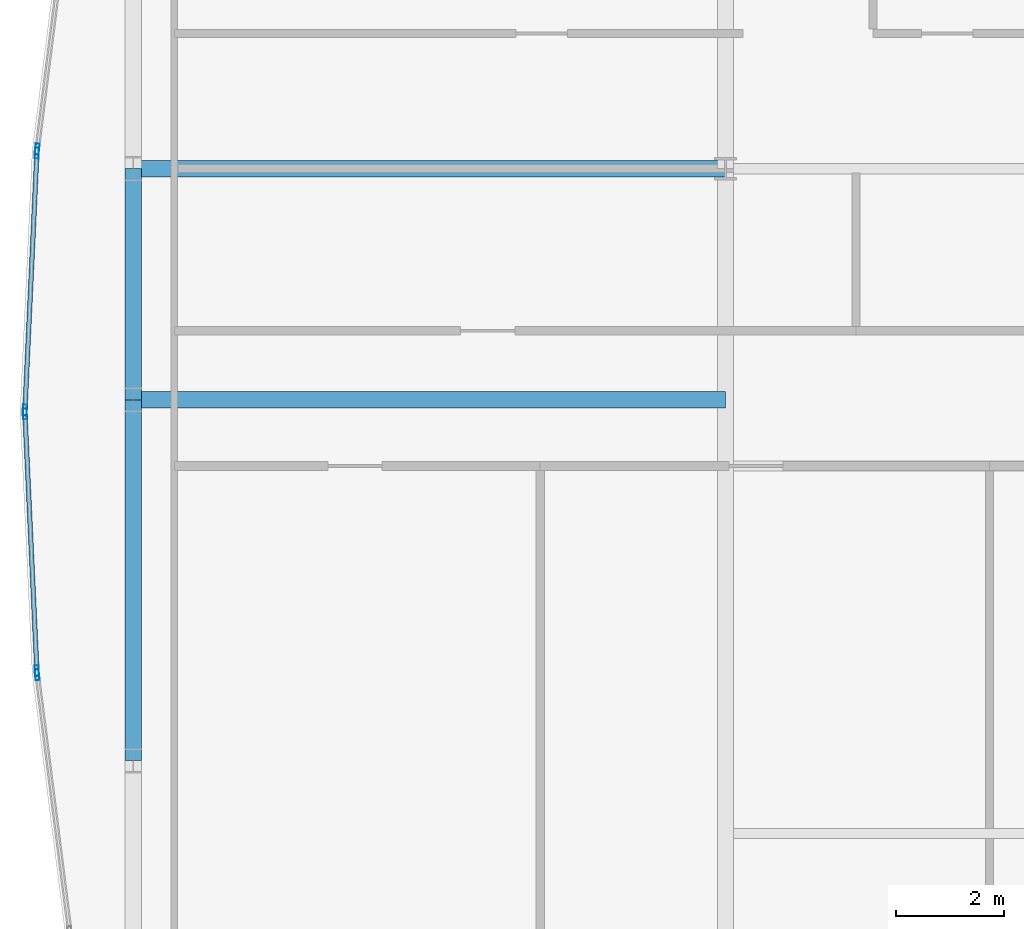
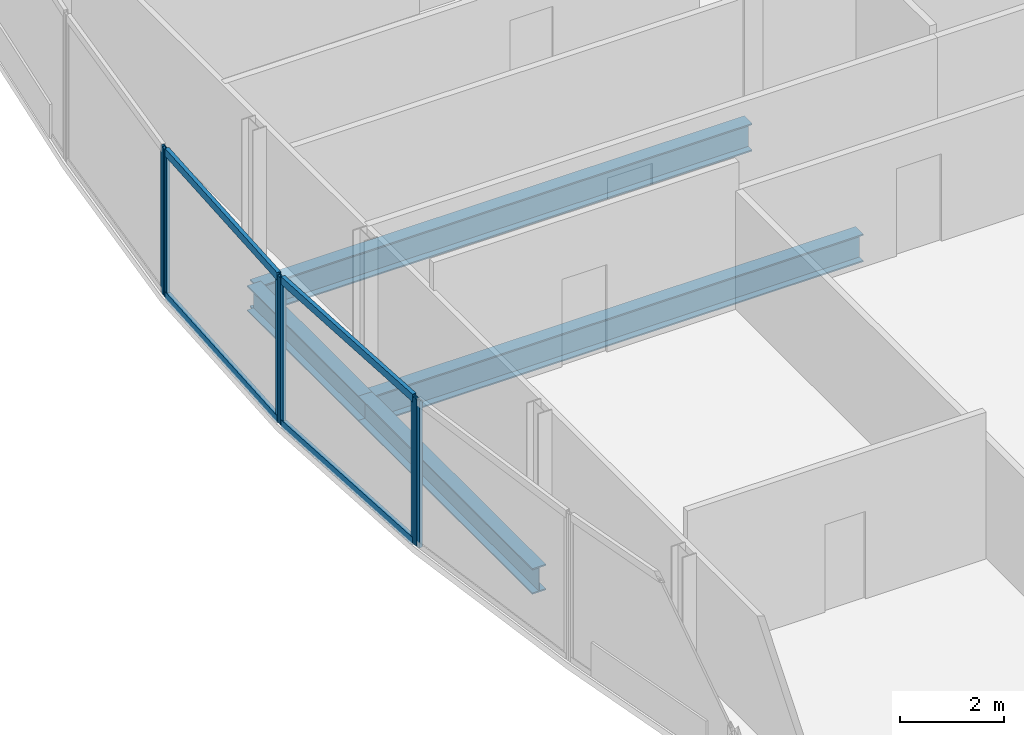
# One storey, part 10 of 30: 10 members, 4 beams, 4 elements without a shape of their own.
"""IFC4 building model written with IfcOpenShell, lengths in metres."""

from ifc_helpers import new_model, si_unit, direction, frame, origin, origin_2d, place, context, subcontext, project, spatial, hollow_rectangle, i_section, extrude, material, material_profile, profile_set, type_object, element, aggregate, save


model = new_model("IFC4")

# Units and contexts
model_context = context("Model", 3, precision=1e-05, world=origin(), true_north=direction((0.0, 1.0)))
body_context = subcontext(model_context, "Body", "Model", "MODEL_VIEW")
ifc_project = project(units=[si_unit("LENGTHUNIT", "METRE"), si_unit("AREAUNIT", "SQUARE_METRE"), si_unit("VOLUMEUNIT", "CUBIC_METRE"), si_unit("PLANEANGLEUNIT", "RADIAN"), si_unit("MASSUNIT", "GRAM", prefix="KILO")], contexts=[model_context])

# Site, building, storey
site_placement = place(None, origin())
site = spatial("IfcSite", under=ifc_project, at=site_placement, CompositionType="ELEMENT")
building_placement = place(site_placement, origin())
building = spatial("IfcBuilding", under=site, at=building_placement, Name="Khoronbel Lancet Exchange", CompositionType="ELEMENT")
storey_placement = place(building_placement, frame((0.0, 0.0, 224.60009765625)))
storey = spatial("IfcBuildingStorey", under=building, at=storey_placement, Name="L57", CompositionType="ELEMENT", Elevation=224.60009765625)

# Beams
ifc_material_1 = material(Name="Steel S355", Category="steel")
ifc_material_profile_1 = material_profile(ifc_material_1, i_section(OverallWidth=0.300048828125, OverallDepth=0.64990234375, WebThickness=0.01611328125, FlangeThickness=0.031005859375, at=origin_2d()), Name="HEB 650")
ifc_profile_set_1 = profile_set([ifc_material_profile_1], Name="Steel S355")
beam_type_1 = type_object("IfcBeamType", Name="BM-BG4", PredefinedType="BEAM", material=ifc_profile_set_1)
for number, where, z_axis, x_axis, name in (
    (1, (7.27001953125, 31.425048828125, -0.485107421875), (1.0, 0.0, 0.0), (0.0, 1.0, 0.0), "Level L57 west lens tie girder LG2W"),
    (2, (7.27001953125, 35.699951171875, -0.485107421875), (1.0, 0.0, 0.0), (0.0, 1.0, 0.0), "Level L57 west lens tie girder LG4W"),
):
    element("IfcBeam", number, at=place(storey_placement, frame(where, z_axis=z_axis, x_axis=x_axis)), inside=storey, type_object=beam_type_1, Name=name, PredefinedType="BEAM", context=body_context, shape_type="SweptSolid", body=[
        extrude(i_section(OverallWidth=0.300048828125, OverallDepth=0.64990234375, WebThickness=0.01611328125, FlangeThickness=0.031005859375, at=origin_2d()), origin(), (0.0, 0.0, 1.0), 10.955078125),
    ])
ifc_material_profile_2 = material_profile(ifc_material_1, i_section(OverallWidth=0.300048828125, OverallDepth=0.60009765625, WebThickness=0.015380859375, FlangeThickness=0.030029296875, at=origin_2d()), Name="HEB 600")
ifc_profile_set_2 = profile_set([ifc_material_profile_2], Name="Steel S355")
beam_type_2 = type_object("IfcBeamType", Name="BM-BSP2", PredefinedType="SPANDREL", material=ifc_profile_set_2)
beam_1_placement = place(storey_placement, frame((7.27001953125, 35.699951171875, -0.460205078125), z_axis=(0.0, -1.0, 0.0), x_axis=(1.0, 0.0, 0.0)))
element("IfcBeam", 3, at=beam_1_placement, inside=storey, type_object=beam_type_2, Name="Level L57 perimeter spandrel beam SP18", PredefinedType="SPANDREL", context=body_context, shape_type="SweptSolid", body=[
    extrude(i_section(OverallWidth=0.300048828125, OverallDepth=0.60009765625, WebThickness=0.015380859375, FlangeThickness=0.030029296875, at=origin_2d()), origin(), (0.0, 0.0, 1.0), 4.27490234375),
])
beam_2_placement = place(storey_placement, frame((7.27001953125, 31.425048828125, -0.460205078125), z_axis=(0.0, -1.0, 0.0), x_axis=(1.0, 0.0, 0.0)))
element("IfcBeam", 4, at=beam_2_placement, inside=storey, type_object=beam_type_2, Name="Level L57 perimeter spandrel beam SP19", PredefinedType="SPANDREL", context=body_context, shape_type="SweptSolid", body=[
    extrude(i_section(OverallWidth=0.300048828125, OverallDepth=0.60009765625, WebThickness=0.015380859375, FlangeThickness=0.030029296875, at=origin_2d()), origin(), (0.0, 0.0, 1.0), 6.675048828125),
])

# Curtain wall, member
ifc_material_2 = material(Name="Low-E Solar Control Insulating Glass", Category="glass")
curtain_wall_type = type_object("IfcCurtainWallType", Name="CW-4", PredefinedType="NOTDEFINED", material=ifc_material_2)
curtain_wall_1_placement = place(storey_placement, origin())
curtain_wall_1 = element("IfcCurtainWall", 5, at=curtain_wall_1_placement, inside=storey, type_object=curtain_wall_type, Name="Unitised curtain wall CW-L57-E05", PredefinedType="NOTDEFINED")
ifc_material_3 = material(Name="Bronze-Anodised Aluminium 6063-T6", Category="aluminium")
ifc_material_profile_3 = material_profile(ifc_material_3, hollow_rectangle(XDim=0.074951171875, YDim=0.199951171875, WallThickness=0.0048828125, at=origin_2d()), Name="ALU MULLION 75x200")
ifc_profile_set_3 = profile_set([ifc_material_profile_3], Name="Bronze-Anodised Aluminium 6063-T6")
member_type_1 = type_object("IfcMemberType", Name="MEM-CWM2", PredefinedType="MULLION", material=ifc_profile_set_3)
member_1_placement = place(storey_placement, frame((5.492919921875, 26.33740234375, 0.0), z_axis=(0.0, 0.0, 1.0), x_axis=(-0.992040249604, -0.125921178381, 0.0)))
member_1 = element("IfcMember", 6, at=member_1_placement, type_object=member_type_1, Name="CW4 mullion 2", PredefinedType="MULLION", context=body_context, shape_type="SweptSolid", body=[
    extrude(hollow_rectangle(XDim=0.074951171875, YDim=0.199951171875, WallThickness=0.0048828125, at=origin_2d()), origin(), (0.0, 0.0, 1.0), 3.43994140625),
])
aggregate(curtain_wall_1, [member_1])

# Curtain wall, members
curtain_wall_2_placement = place(storey_placement, origin())
curtain_wall_2 = element("IfcCurtainWall", 7, at=curtain_wall_2_placement, inside=storey, type_object=curtain_wall_type, Name="Unitised curtain wall CW-L57-E06", PredefinedType="NOTDEFINED")
member_2_placement = place(storey_placement, frame((5.486572265625, 26.411865234375, 0.0), z_axis=(0.0, 0.0, 1.0), x_axis=(-0.998923368026, -0.046390783703, 0.0)))
member_2 = element("IfcMember", 8, at=member_2_placement, type_object=member_type_1, Name="CW4 mullion 1", PredefinedType="MULLION", context=body_context, shape_type="SweptSolid", body=[
    extrude(hollow_rectangle(XDim=0.074951171875, YDim=0.199951171875, WallThickness=0.0048828125, at=origin_2d()), origin(), (0.0, 0.0, 1.0), 3.43994140625),
])
member_3_placement = place(storey_placement, frame((5.265869140625, 31.16259765625, 0.0), z_axis=(0.0, 0.0, 1.0), x_axis=(-0.998923368026, -0.046390783703, 0.0)))
member_3 = element("IfcMember", 9, at=member_3_placement, type_object=member_type_1, Name="CW4 mullion 2", PredefinedType="MULLION", context=body_context, shape_type="SweptSolid", body=[
    extrude(hollow_rectangle(XDim=0.074951171875, YDim=0.199951171875, WallThickness=0.0048828125, at=origin_2d()), origin(), (0.0, 0.0, 1.0), 3.43994140625),
])

curtain_wall_3_placement = place(storey_placement, origin())
curtain_wall_3 = element("IfcCurtainWall", 10, at=curtain_wall_3_placement, inside=storey, type_object=curtain_wall_type, Name="Unitised curtain wall CW-L57-E07", PredefinedType="NOTDEFINED")
member_4_placement = place(storey_placement, frame((5.265869140625, 31.237548828125, 0.0), z_axis=(0.0, 0.0, 1.0), x_axis=(-0.998923368026, 0.046390783703, 0.0)))
member_4 = element("IfcMember", 11, at=member_4_placement, type_object=member_type_1, Name="CW4 mullion 1", PredefinedType="MULLION", context=body_context, shape_type="SweptSolid", body=[
    extrude(hollow_rectangle(XDim=0.074951171875, YDim=0.199951171875, WallThickness=0.0048828125, at=origin_2d()), origin(), (0.0, 0.0, 1.0), 3.43994140625),
])
member_5_placement = place(storey_placement, frame((5.486572265625, 35.988037109375, 0.0), z_axis=(0.0, 0.0, 1.0), x_axis=(-0.998923368026, 0.046390783703, 0.0)))
member_5 = element("IfcMember", 12, at=member_5_placement, type_object=member_type_1, Name="CW4 mullion 2", PredefinedType="MULLION", context=body_context, shape_type="SweptSolid", body=[
    extrude(hollow_rectangle(XDim=0.074951171875, YDim=0.199951171875, WallThickness=0.0048828125, at=origin_2d()), origin(), (0.0, 0.0, 1.0), 3.43994140625),
])

# Curtain wall, member
curtain_wall_4_placement = place(storey_placement, origin())
curtain_wall_4 = element("IfcCurtainWall", 13, at=curtain_wall_4_placement, inside=storey, type_object=curtain_wall_type, Name="Unitised curtain wall CW-L57-E08", PredefinedType="NOTDEFINED")
member_6_placement = place(storey_placement, frame((5.492919921875, 36.062744140625, 0.0), z_axis=(0.0, 0.0, 1.0), x_axis=(-0.992040249604, 0.125921178381, 0.0)))
member_6 = element("IfcMember", 14, at=member_6_placement, type_object=member_type_1, Name="CW4 mullion 1", PredefinedType="MULLION", context=body_context, shape_type="SweptSolid", body=[
    extrude(hollow_rectangle(XDim=0.074951171875, YDim=0.199951171875, WallThickness=0.0048828125, at=origin_2d()), origin(), (0.0, 0.0, 1.0), 3.43994140625),
])
aggregate(curtain_wall_4, [member_6])

# Member
ifc_material_profile_4 = material_profile(ifc_material_3, hollow_rectangle(XDim=0.0849609375, YDim=0.179931640625, WallThickness=0.0048828125, at=origin_2d()), Name="ALU TRANSOM 85x180")
ifc_profile_set_4 = profile_set([ifc_material_profile_4], Name="Bronze-Anodised Aluminium 6063-T6")
member_type_2 = type_object("IfcMemberType", Name="MEM-CWT1", PredefinedType="USERDEFINED", material=ifc_profile_set_4)
member_7_placement = place(storey_placement, frame((5.484619140625, 26.449462890625, 0.04248046875), z_axis=(-0.046370618064, 0.99892430433, 0.0), x_axis=(-0.99892430433, -0.046370618064, 0.0)))
member_7 = element("IfcMember", 15, at=member_7_placement, type_object=member_type_2, Name="CW4 transom 1.1", ObjectType="TRANSOM", PredefinedType="USERDEFINED", context=body_context, shape_type="SweptSolid", body=[
    extrude(hollow_rectangle(XDim=0.0849609375, YDim=0.179931640625, WallThickness=0.0048828125, at=origin_2d()), origin(), (0.0, 0.0, 1.0), 4.6806640625),
])

member_8_placement = place(storey_placement, frame((5.484619140625, 26.449462890625, 3.3974609375), z_axis=(-0.046370618064, 0.99892430433, 0.0), x_axis=(-0.99892430433, -0.046370618064, 0.0)))
member_8 = element("IfcMember", 16, at=member_8_placement, type_object=member_type_2, Name="CW4 transom 1.2", ObjectType="TRANSOM", PredefinedType="USERDEFINED", context=body_context, shape_type="SweptSolid", body=[
    extrude(hollow_rectangle(XDim=0.0849609375, YDim=0.179931640625, WallThickness=0.0048828125, at=origin_2d()), origin(), (0.0, 0.0, 1.0), 4.6806640625),
])

aggregate(curtain_wall_2, [member_2, member_3, member_7, member_8])

member_9_placement = place(storey_placement, frame((5.267578125, 31.27490234375, 0.04248046875), z_axis=(0.046368202081, 0.998924416478, 0.0), x_axis=(-0.998924416478, 0.046368202081, 0.0)))
member_9 = element("IfcMember", 17, at=member_9_placement, type_object=member_type_2, Name="CW4 transom 1.1", ObjectType="TRANSOM", PredefinedType="USERDEFINED", context=body_context, shape_type="SweptSolid", body=[
    extrude(hollow_rectangle(XDim=0.0849609375, YDim=0.179931640625, WallThickness=0.0048828125, at=origin_2d()), origin(), (0.0, 0.0, 1.0), 4.680908203125),
])

member_10_placement = place(storey_placement, frame((5.267578125, 31.27490234375, 3.3974609375), z_axis=(0.046368202081, 0.998924416478, 0.0), x_axis=(-0.998924416478, 0.046368202081, 0.0)))
member_10 = element("IfcMember", 18, at=member_10_placement, type_object=member_type_2, Name="CW4 transom 1.2", ObjectType="TRANSOM", PredefinedType="USERDEFINED", context=body_context, shape_type="SweptSolid", body=[
    extrude(hollow_rectangle(XDim=0.0849609375, YDim=0.179931640625, WallThickness=0.0048828125, at=origin_2d()), origin(), (0.0, 0.0, 1.0), 4.680908203125),
])

aggregate(curtain_wall_3, [member_4, member_5, member_9, member_10])

save(model, "model.ifc")
